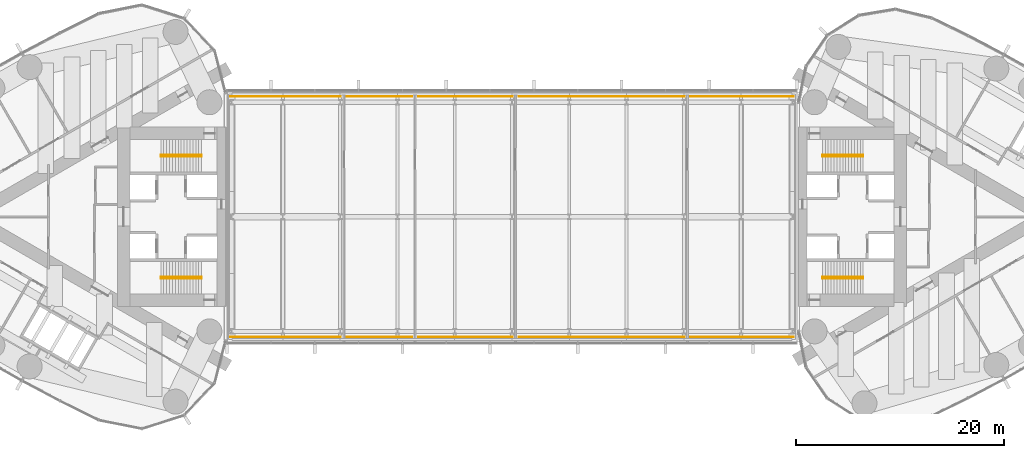
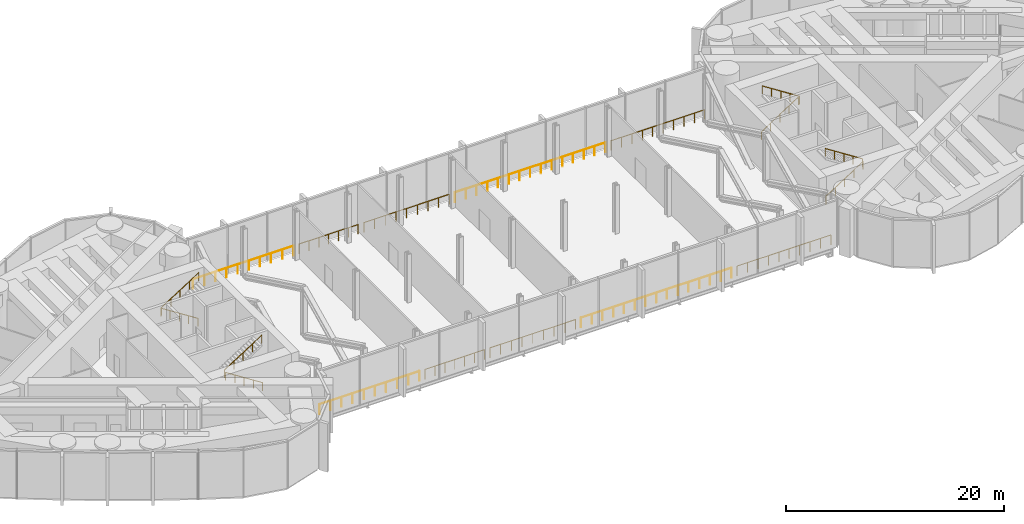
# One storey, part 21 of 21: 18 railings.
"""IFC4 building model written with IfcOpenShell, lengths in metres."""

import ifcopenshell
import ifcopenshell.guid

model = None  # the IFC model being written
_history = None  # IfcOwnerHistory: only IFC2X3 demands one
_inside = {}  # id of a spatial element -> (the spatial element, [elements in it])
_under = {}  # id of a project, library or spatial element -> (it, [spatial elements below it])
_declared = {}  # id of a project -> (the project, [libraries it declares])
_typed = {}  # id of a type object -> (the type object, [elements of that type])
_made_of = {}  # id of a material, layer set ... -> (it, [elements and type objects made of it])


def new_model(schema):
    """Start an empty IFC model of exactly this schema.

    Asked for "IFC4X3", IfcOpenShell would pick the latest addendum, in which some entities
    have other attributes; the version numbers below select the first issue.
    IFC2X3 requires an IfcOwnerHistory on every rooted entity: one is made here for all.
    """
    global model, _history
    if schema == "IFC4X3":
        model = ifcopenshell.file(schema_version=(4, 3, 0, 0))
    else:
        model = ifcopenshell.file(schema=schema)
    _inside.clear()
    _under.clear()
    _declared.clear()
    _typed.clear()
    _made_of.clear()
    _history = None
    if model.schema == "IFC2X3":
        org = make("IfcOrganization", Name="unknown")
        user = make(
            "IfcPersonAndOrganization",
            ThePerson=make("IfcPerson", FamilyName="unknown"),
            TheOrganization=org,
        )
        app = make(
            "IfcApplication",
            ApplicationDeveloper=org,
            Version="unknown",
            ApplicationFullName="unknown",
            ApplicationIdentifier="unknown",
        )
        _history = make(
            "IfcOwnerHistory",
            OwningUser=user,
            OwningApplication=app,
            ChangeAction="ADDED",
            CreationDate=0,
        )
    return model


def make(cls, **values):
    """One entity of the class cls with the attributes given. An attribute that is None is left unset."""
    return model.create_entity(
        cls, **{name: value for name, value in values.items() if value is not None}
    )


def rooted(cls, **values):
    """An entity with a GlobalId (a new one), such as an element, a storey or a relation."""
    return make(cls, GlobalId=ifcopenshell.guid.new(), OwnerHistory=_history, **values)


def si_unit(unit_type, name, prefix=None):
    """IfcSIUnit, for example si_unit("LENGTHUNIT", "METRE", prefix="MILLI")."""
    return make("IfcSIUnit", UnitType=unit_type, Prefix=prefix, Name=name)


def assignment(units):
    """IfcUnitAssignment: the units of a project."""
    return None if units is None else make("IfcUnitAssignment", Units=units)


def point(xyz):
    """IfcCartesianPoint."""
    return None if xyz is None else make("IfcCartesianPoint", Coordinates=xyz)


def direction(xyz):
    """IfcDirection."""
    return None if xyz is None else make("IfcDirection", DirectionRatios=xyz)


def frame(location, z_axis=None, x_axis=None):
    """IfcAxis2Placement3D, a coordinate frame: its origin and axes. An axis left out is left unset."""
    return make(
        "IfcAxis2Placement3D",
        Location=point(location),
        Axis=direction(z_axis),
        RefDirection=direction(x_axis),
    )


def frame_2d(location, x_axis=None):
    """IfcAxis2Placement2D, a coordinate frame in the plane: its origin and x axis."""
    return make(
        "IfcAxis2Placement2D", Location=point(location), RefDirection=direction(x_axis)
    )


def origin():
    """The frame at (0, 0, 0) with its axes left unset."""
    return frame((0.0, 0.0, 0.0))


def origin_2d():
    """The frame at (0, 0) in the plane with its x axis left unset."""
    return frame_2d((0.0, 0.0))


def place(relative_to, where):
    """IfcLocalPlacement: puts the frame where relative to a parent placement (None: the world)."""
    return make(
        "IfcLocalPlacement", PlacementRelTo=relative_to, RelativePlacement=where
    )


def context(
    kind, dimensions, precision=None, world=None, true_north=None, identifier=None
):
    """IfcGeometricRepresentationContext, for example the 3D "Model" context."""
    return make(
        "IfcGeometricRepresentationContext",
        ContextIdentifier=identifier,
        ContextType=kind,
        CoordinateSpaceDimension=dimensions,
        Precision=precision,
        WorldCoordinateSystem=world,
        TrueNorth=true_north,
    )


def subcontext(parent, identifier, kind, view, scale=None):
    """IfcGeometricRepresentationSubContext, for example "Body" below "Model"."""
    return make(
        "IfcGeometricRepresentationSubContext",
        ContextIdentifier=identifier,
        ContextType=kind,
        ParentContext=parent,
        TargetScale=scale,
        TargetView=view,
    )


def project(units=None, contexts=None):
    """IfcProject with its units and contexts."""
    return rooted(
        "IfcProject",
        Name="project",
        RepresentationContexts=contexts,
        UnitsInContext=assignment(units),
    )


def spatial(cls, under=None, at=None, **own):
    """A site, building, storey or space (cls), placed at a placement, below another one or the project."""
    s = rooted(cls, ObjectPlacement=at, **own)
    if under is not None:
        _under.setdefault(under.id(), (under, []))[1].append(s)
    return s


def profile(cls, at=None, kind="AREA", **sizes):
    """A parametric profile (cls). Its sizes go by their IFC names, for example OverallWidth=200.0."""
    return make(cls, ProfileType=kind, Position=at, **sizes)


def circle(**sizes):
    """IfcCircleProfileDef."""
    return profile("IfcCircleProfileDef", **sizes)


def extrude(swept, where, along, depth):
    """IfcExtrudedAreaSolid: the profile swept, set in the frame where, extruded along a direction by depth."""
    return make(
        "IfcExtrudedAreaSolid",
        SweptArea=swept,
        Position=where,
        ExtrudedDirection=direction(along),
        Depth=depth,
    )


def shape(context_of_items, identifier, shape_type, items):
    """IfcShapeRepresentation: the items that make up one representation, for example the "Body"."""
    return make(
        "IfcShapeRepresentation",
        ContextOfItems=context_of_items,
        RepresentationIdentifier=identifier,
        RepresentationType=shape_type,
        Items=items,
    )


def material(Name=None, Category=None):
    """IfcMaterial."""
    return make("IfcMaterial", Name=Name, Category=Category)


def made_of(thing, what):
    """Note that an element or type object is made of a material, layer set ...; save() writes the relation."""
    if what is not None:
        _made_of.setdefault(what.id(), (what, []))[1].append(thing)
    return thing


def type_object(cls, material=None, **own):
    """A type object (cls), such as IfcWallType, which elements share."""
    return made_of(rooted(cls, **own), material)


def element(
    cls,
    number,
    at=None,
    inside=None,
    cuts=None,
    type_object=None,
    material=None,
    context=None,
    identifier="Body",
    shape_type=None,
    held_by="IfcProductDefinitionShape",
    body=None,
    shapes=None,
    **own,
):
    """One element of the class cls, such as IfcWall. Its Tag is "e" and its number.

    at: its placement. inside: the storey or other place that contains it. cuts: it is an
    opening in that element (IfcRelVoidsElement). A single representation is given by context,
    identifier, shape_type and body (its items); several are given by shapes. held_by: the class
    of the entity that holds the representations. save() writes the other relations.
    """
    e = rooted(cls, Tag="e%d" % number, ObjectPlacement=at, **own)
    if body is not None:
        shapes = [shape(context, identifier, shape_type, body)]
    if shapes is not None:
        e.Representation = make(held_by, Representations=shapes)
    if inside is not None:
        _inside.setdefault(inside.id(), (inside, []))[1].append(e)
    if cuts is not None:
        rooted(
            "IfcRelVoidsElement", RelatingBuildingElement=cuts, RelatedOpeningElement=e
        )
    if type_object is not None:
        _typed.setdefault(type_object.id(), (type_object, []))[1].append(e)
    return made_of(e, material)


def aggregate(whole, parts):
    """IfcRelAggregates: a whole, such as a stair, and the parts it consists of."""
    return rooted("IfcRelAggregates", RelatingObject=whole, RelatedObjects=parts)


def save(model, path):
    """Write the relations noted so far, then the file.

    IfcRelAggregates (storeys below a building ...), IfcRelContainedInSpatialStructure (elements
    in a storey), IfcRelDefinesByType, IfcRelAssociatesMaterial and IfcRelDeclares: one each for
    every whole, place, type object, material and project.
    """
    for whole, parts in _under.values():
        aggregate(whole, parts)
    for where, things in _inside.values():
        rooted(
            "IfcRelContainedInSpatialStructure",
            RelatedElements=things,
            RelatingStructure=where,
        )
    for kind, things in _typed.values():
        rooted("IfcRelDefinesByType", RelatedObjects=things, RelatingType=kind)
    for what, things in _made_of.values():
        rooted("IfcRelAssociatesMaterial", RelatedObjects=things, RelatingMaterial=what)
    for by, libraries in _declared.values():
        rooted("IfcRelDeclares", RelatingContext=by, RelatedDefinitions=libraries)
    model.write(path)


model = new_model("IFC4")

# Units and contexts
model_context = context("Model", 3, precision=1e-05, world=origin(), true_north=direction((0.0, 1.0)))
body_context = subcontext(model_context, "Body", "Model", "MODEL_VIEW")
ifc_project = project(units=[si_unit("LENGTHUNIT", "METRE"), si_unit("AREAUNIT", "SQUARE_METRE"), si_unit("VOLUMEUNIT", "CUBIC_METRE"), si_unit("PLANEANGLEUNIT", "RADIAN"), si_unit("MASSUNIT", "GRAM", prefix="KILO")], contexts=[model_context])

# Site, building, storey
site_placement = place(None, origin())
site = spatial("IfcSite", under=ifc_project, at=site_placement, CompositionType="ELEMENT")
building_placement = place(site_placement, origin())
building = spatial("IfcBuilding", under=site, at=building_placement, Name="Lancet Gate Hotel", CompositionType="ELEMENT")
storey_placement = place(building_placement, frame((0.0, 0.0, 251.89990234375)))
storey = spatial("IfcBuildingStorey", under=building, at=storey_placement, Name="L67", CompositionType="ELEMENT", Elevation=251.89990234375)

# Railings
ifc_material_1 = material(Name="Laminated glass balustrade", Category="glass")
railing_type_1 = type_object("IfcRailingType", Name="Glass balustrade 1100", PredefinedType="GUARDRAIL", material=ifc_material_1)
railing_1_placement = place(storey_placement, frame((-27.050048828125, -11.550048828125, 0.0)))
element("IfcRailing", 1, at=railing_1_placement, inside=storey, type_object=railing_type_1, Name="Bridge block balustrade S1 L67", PredefinedType="GUARDRAIL", context=body_context, shape_type="SweptSolid", body=[
    extrude(circle(Radius=0.02392578125, at=origin_2d()), frame((0.0, 0.0, 1.076171875), z_axis=(1.0, 0.0, 0.0), x_axis=(0.0, 1.0, 0.0)), (0.0, 0.0, 1.0), 10.60009765625),
    extrude(circle(Radius=0.02099609375, at=origin_2d()), origin(), (0.0, 0.0, 1.0), 1.052001953125),
    extrude(circle(Radius=0.02099609375, at=origin_2d()), frame((1.177734375, 0.0, 0.0)), (0.0, 0.0, 1.0), 1.052001953125),
    extrude(circle(Radius=0.02099609375, at=origin_2d()), frame((2.35546875, 0.0, 0.0)), (0.0, 0.0, 1.0), 1.052001953125),
    extrude(circle(Radius=0.02099609375, at=origin_2d()), frame((3.533447265625, 0.0, 0.0)), (0.0, 0.0, 1.0), 1.052001953125),
    extrude(circle(Radius=0.02099609375, at=origin_2d()), frame((4.711181640625, 0.0, 0.0)), (0.0, 0.0, 1.0), 1.052001953125),
    extrude(circle(Radius=0.02099609375, at=origin_2d()), frame((5.888916015625, 0.0, 0.0)), (0.0, 0.0, 1.0), 1.052001953125),
    extrude(circle(Radius=0.02099609375, at=origin_2d()), frame((7.066650390625, 0.0, 0.0)), (0.0, 0.0, 1.0), 1.052001953125),
    extrude(circle(Radius=0.02099609375, at=origin_2d()), frame((8.24462890625, 0.0, 0.0)), (0.0, 0.0, 1.0), 1.052001953125),
    extrude(circle(Radius=0.02099609375, at=origin_2d()), frame((9.42236328125, 0.0, 0.0)), (0.0, 0.0, 1.0), 1.052001953125),
    extrude(circle(Radius=0.02099609375, at=origin_2d()), frame((10.60009765625, 0.0, 0.0)), (0.0, 0.0, 1.0), 1.052001953125),
])
railing_2_placement = place(storey_placement, frame((-15.85009765625, -11.550048828125, 0.0)))
element("IfcRailing", 2, at=railing_2_placement, inside=storey, type_object=railing_type_1, Name="Bridge block balustrade S2 L67", PredefinedType="GUARDRAIL", context=body_context, shape_type="SweptSolid", body=[
    extrude(circle(Radius=0.02392578125, at=origin_2d()), frame((0.0, 0.0, 1.076171875), z_axis=(1.0, 0.0, 0.0), x_axis=(0.0, 1.0, 0.0)), (0.0, 0.0, 1.0), 6.25),
    extrude(circle(Radius=0.02099609375, at=origin_2d()), origin(), (0.0, 0.0, 1.0), 1.052001953125),
    extrude(circle(Radius=0.02099609375, at=origin_2d()), frame((1.041748046875, 0.0, 0.0)), (0.0, 0.0, 1.0), 1.052001953125),
    extrude(circle(Radius=0.02099609375, at=origin_2d()), frame((2.083251953125, 0.0, 0.0)), (0.0, 0.0, 1.0), 1.052001953125),
    extrude(circle(Radius=0.02099609375, at=origin_2d()), frame((3.125, 0.0, 0.0)), (0.0, 0.0, 1.0), 1.052001953125),
    extrude(circle(Radius=0.02099609375, at=origin_2d()), frame((4.166748046875, 0.0, 0.0)), (0.0, 0.0, 1.0), 1.052001953125),
    extrude(circle(Radius=0.02099609375, at=origin_2d()), frame((5.208251953125, 0.0, 0.0)), (0.0, 0.0, 1.0), 1.052001953125),
    extrude(circle(Radius=0.02099609375, at=origin_2d()), frame((6.25, 0.0, 0.0)), (0.0, 0.0, 1.0), 1.052001953125),
])
railing_3_placement = place(storey_placement, frame((-9.0, -11.550048828125, 0.0)))
element("IfcRailing", 3, at=railing_3_placement, inside=storey, type_object=railing_type_1, Name="Bridge block balustrade S3 L67", PredefinedType="GUARDRAIL", context=body_context, shape_type="SweptSolid", body=[
    extrude(circle(Radius=0.02392578125, at=origin_2d()), frame((0.0, 0.0, 1.076171875), z_axis=(1.0, 0.0, 0.0), x_axis=(0.0, 1.0, 0.0)), (0.0, 0.0, 1.0), 9.050048828125),
    extrude(circle(Radius=0.02099609375, at=origin_2d()), origin(), (0.0, 0.0, 1.0), 1.052001953125),
    extrude(circle(Radius=0.02099609375, at=origin_2d()), frame((1.13134765625, 0.0, 0.0)), (0.0, 0.0, 1.0), 1.052001953125),
    extrude(circle(Radius=0.02099609375, at=origin_2d()), frame((2.262451171875, 0.0, 0.0)), (0.0, 0.0, 1.0), 1.052001953125),
    extrude(circle(Radius=0.02099609375, at=origin_2d()), frame((3.393798828125, 0.0, 0.0)), (0.0, 0.0, 1.0), 1.052001953125),
    extrude(circle(Radius=0.02099609375, at=origin_2d()), frame((4.52490234375, 0.0, 0.0)), (0.0, 0.0, 1.0), 1.052001953125),
    extrude(circle(Radius=0.02099609375, at=origin_2d()), frame((5.65625, 0.0, 0.0)), (0.0, 0.0, 1.0), 1.052001953125),
    extrude(circle(Radius=0.02099609375, at=origin_2d()), frame((6.78759765625, 0.0, 0.0)), (0.0, 0.0, 1.0), 1.052001953125),
    extrude(circle(Radius=0.02099609375, at=origin_2d()), frame((7.918701171875, 0.0, 0.0)), (0.0, 0.0, 1.0), 1.052001953125),
    extrude(circle(Radius=0.02099609375, at=origin_2d()), frame((9.050048828125, 0.0, 0.0)), (0.0, 0.0, 1.0), 1.052001953125),
])
railing_4_placement = place(storey_placement, frame((0.64990234375, -11.550048828125, 0.0)))
element("IfcRailing", 4, at=railing_4_placement, inside=storey, type_object=railing_type_1, Name="Bridge block balustrade S4 L67", PredefinedType="GUARDRAIL", context=body_context, shape_type="SweptSolid", body=[
    extrude(circle(Radius=0.02392578125, at=origin_2d()), frame((0.0, 0.0, 1.076171875), z_axis=(1.0, 0.0, 0.0), x_axis=(0.0, 1.0, 0.0)), (0.0, 0.0, 1.0), 15.900146484375),
    extrude(circle(Radius=0.02099609375, at=origin_2d()), origin(), (0.0, 0.0, 1.0), 1.052001953125),
    extrude(circle(Radius=0.02099609375, at=origin_2d()), frame((1.1357421875, 0.0, 0.0)), (0.0, 0.0, 1.0), 1.052001953125),
    extrude(circle(Radius=0.02099609375, at=origin_2d()), frame((2.271484375, 0.0, 0.0)), (0.0, 0.0, 1.0), 1.052001953125),
    extrude(circle(Radius=0.02099609375, at=origin_2d()), frame((3.4072265625, 0.0, 0.0)), (0.0, 0.0, 1.0), 1.052001953125),
    extrude(circle(Radius=0.02099609375, at=origin_2d()), frame((4.54296875, 0.0, 0.0)), (0.0, 0.0, 1.0), 1.052001953125),
    extrude(circle(Radius=0.02099609375, at=origin_2d()), frame((5.6787109375, 0.0, 0.0)), (0.0, 0.0, 1.0), 1.052001953125),
    extrude(circle(Radius=0.02099609375, at=origin_2d()), frame((6.814453125, 0.0, 0.0)), (0.0, 0.0, 1.0), 1.052001953125),
    extrude(circle(Radius=0.02099609375, at=origin_2d()), frame((7.9501953125, 0.0, 0.0)), (0.0, 0.0, 1.0), 1.052001953125),
    extrude(circle(Radius=0.02099609375, at=origin_2d()), frame((9.085693359375, 0.0, 0.0)), (0.0, 0.0, 1.0), 1.052001953125),
    extrude(circle(Radius=0.02099609375, at=origin_2d()), frame((10.221435546875, 0.0, 0.0)), (0.0, 0.0, 1.0), 1.052001953125),
    extrude(circle(Radius=0.02099609375, at=origin_2d()), frame((11.357177734375, 0.0, 0.0)), (0.0, 0.0, 1.0), 1.052001953125),
    extrude(circle(Radius=0.02099609375, at=origin_2d()), frame((12.492919921875, 0.0, 0.0)), (0.0, 0.0, 1.0), 1.052001953125),
    extrude(circle(Radius=0.02099609375, at=origin_2d()), frame((13.628662109375, 0.0, 0.0)), (0.0, 0.0, 1.0), 1.052001953125),
    extrude(circle(Radius=0.02099609375, at=origin_2d()), frame((14.764404296875, 0.0, 0.0)), (0.0, 0.0, 1.0), 1.052001953125),
    extrude(circle(Radius=0.02099609375, at=origin_2d()), frame((15.900146484375, 0.0, 0.0)), (0.0, 0.0, 1.0), 1.052001953125),
])
railing_5_placement = place(storey_placement, frame((17.14990234375, -11.550048828125, 0.0)))
element("IfcRailing", 5, at=railing_5_placement, inside=storey, type_object=railing_type_1, Name="Bridge block balustrade S5 L67", PredefinedType="GUARDRAIL", context=body_context, shape_type="SweptSolid", body=[
    extrude(circle(Radius=0.02392578125, at=origin_2d()), frame((0.0, 0.0, 1.076171875), z_axis=(1.0, 0.0, 0.0), x_axis=(0.0, 1.0, 0.0)), (0.0, 0.0, 1.0), 9.900146484375),
    extrude(circle(Radius=0.02099609375, at=origin_2d()), origin(), (0.0, 0.0, 1.0), 1.052001953125),
    extrude(circle(Radius=0.02099609375, at=origin_2d()), frame((1.10009765625, 0.0, 0.0)), (0.0, 0.0, 1.0), 1.052001953125),
    extrude(circle(Radius=0.02099609375, at=origin_2d()), frame((2.199951171875, 0.0, 0.0)), (0.0, 0.0, 1.0), 1.052001953125),
    extrude(circle(Radius=0.02099609375, at=origin_2d()), frame((3.300048828125, 0.0, 0.0)), (0.0, 0.0, 1.0), 1.052001953125),
    extrude(circle(Radius=0.02099609375, at=origin_2d()), frame((4.400146484375, 0.0, 0.0)), (0.0, 0.0, 1.0), 1.052001953125),
    extrude(circle(Radius=0.02099609375, at=origin_2d()), frame((5.5, 0.0, 0.0)), (0.0, 0.0, 1.0), 1.052001953125),
    extrude(circle(Radius=0.02099609375, at=origin_2d()), frame((6.60009765625, 0.0, 0.0)), (0.0, 0.0, 1.0), 1.052001953125),
    extrude(circle(Radius=0.02099609375, at=origin_2d()), frame((7.7001953125, 0.0, 0.0)), (0.0, 0.0, 1.0), 1.052001953125),
    extrude(circle(Radius=0.02099609375, at=origin_2d()), frame((8.800048828125, 0.0, 0.0)), (0.0, 0.0, 1.0), 1.052001953125),
    extrude(circle(Radius=0.02099609375, at=origin_2d()), frame((9.900146484375, 0.0, 0.0)), (0.0, 0.0, 1.0), 1.052001953125),
])
railing_6_placement = place(storey_placement, frame((-16.449951171875, 11.550048828125, 0.0)))
element("IfcRailing", 6, at=railing_6_placement, inside=storey, type_object=railing_type_1, Name="Bridge block balustrade N1 L67", PredefinedType="GUARDRAIL", context=body_context, shape_type="SweptSolid", body=[
    extrude(circle(Radius=0.02392578125, at=origin_2d()), frame((0.0, 0.0, 1.076171875), z_axis=(-1.0, 0.0, 0.0), x_axis=(0.0, -1.0, 0.0)), (0.0, 0.0, 1.0), 10.60009765625),
    extrude(circle(Radius=0.02099609375, at=origin_2d()), origin(), (0.0, 0.0, 1.0), 1.052001953125),
    extrude(circle(Radius=0.02099609375, at=origin_2d()), frame((-1.177734375, 0.0, 0.0)), (0.0, 0.0, 1.0), 1.052001953125),
    extrude(circle(Radius=0.02099609375, at=origin_2d()), frame((-2.35546875, 0.0, 0.0)), (0.0, 0.0, 1.0), 1.052001953125),
    extrude(circle(Radius=0.02099609375, at=origin_2d()), frame((-3.533447265625, 0.0, 0.0)), (0.0, 0.0, 1.0), 1.052001953125),
    extrude(circle(Radius=0.02099609375, at=origin_2d()), frame((-4.711181640625, 0.0, 0.0)), (0.0, 0.0, 1.0), 1.052001953125),
    extrude(circle(Radius=0.02099609375, at=origin_2d()), frame((-5.888916015625, 0.0, 0.0)), (0.0, 0.0, 1.0), 1.052001953125),
    extrude(circle(Radius=0.02099609375, at=origin_2d()), frame((-7.066650390625, 0.0, 0.0)), (0.0, 0.0, 1.0), 1.052001953125),
    extrude(circle(Radius=0.02099609375, at=origin_2d()), frame((-8.24462890625, 0.0, 0.0)), (0.0, 0.0, 1.0), 1.052001953125),
    extrude(circle(Radius=0.02099609375, at=origin_2d()), frame((-9.42236328125, 0.0, 0.0)), (0.0, 0.0, 1.0), 1.052001953125),
    extrude(circle(Radius=0.02099609375, at=origin_2d()), frame((-10.60009765625, 0.0, 0.0)), (0.0, 0.0, 1.0), 1.052001953125),
])
railing_7_placement = place(storey_placement, frame((-9.60009765625, 11.550048828125, 0.0)))
element("IfcRailing", 7, at=railing_7_placement, inside=storey, type_object=railing_type_1, Name="Bridge block balustrade N2 L67", PredefinedType="GUARDRAIL", context=body_context, shape_type="SweptSolid", body=[
    extrude(circle(Radius=0.02392578125, at=origin_2d()), frame((0.0, 0.0, 1.076171875), z_axis=(-1.0, 0.0, 0.0), x_axis=(0.0, -1.0, 0.0)), (0.0, 0.0, 1.0), 6.25),
    extrude(circle(Radius=0.02099609375, at=origin_2d()), origin(), (0.0, 0.0, 1.0), 1.052001953125),
    extrude(circle(Radius=0.02099609375, at=origin_2d()), frame((-1.041748046875, 0.0, 0.0)), (0.0, 0.0, 1.0), 1.052001953125),
    extrude(circle(Radius=0.02099609375, at=origin_2d()), frame((-2.083251953125, 0.0, 0.0)), (0.0, 0.0, 1.0), 1.052001953125),
    extrude(circle(Radius=0.02099609375, at=origin_2d()), frame((-3.125, 0.0, 0.0)), (0.0, 0.0, 1.0), 1.052001953125),
    extrude(circle(Radius=0.02099609375, at=origin_2d()), frame((-4.166748046875, 0.0, 0.0)), (0.0, 0.0, 1.0), 1.052001953125),
    extrude(circle(Radius=0.02099609375, at=origin_2d()), frame((-5.208251953125, 0.0, 0.0)), (0.0, 0.0, 1.0), 1.052001953125),
    extrude(circle(Radius=0.02099609375, at=origin_2d()), frame((-6.25, 0.0, 0.0)), (0.0, 0.0, 1.0), 1.052001953125),
])
railing_8_placement = place(storey_placement, frame((0.050048828125, 11.550048828125, 0.0)))
element("IfcRailing", 8, at=railing_8_placement, inside=storey, type_object=railing_type_1, Name="Bridge block balustrade N3 L67", PredefinedType="GUARDRAIL", context=body_context, shape_type="SweptSolid", body=[
    extrude(circle(Radius=0.02392578125, at=origin_2d()), frame((0.0, 0.0, 1.076171875), z_axis=(-1.0, 0.0, 0.0), x_axis=(0.0, -1.0, 0.0)), (0.0, 0.0, 1.0), 9.050048828125),
    extrude(circle(Radius=0.02099609375, at=origin_2d()), origin(), (0.0, 0.0, 1.0), 1.052001953125),
    extrude(circle(Radius=0.02099609375, at=origin_2d()), frame((-1.13134765625, 0.0, 0.0)), (0.0, 0.0, 1.0), 1.052001953125),
    extrude(circle(Radius=0.02099609375, at=origin_2d()), frame((-2.262451171875, 0.0, 0.0)), (0.0, 0.0, 1.0), 1.052001953125),
    extrude(circle(Radius=0.02099609375, at=origin_2d()), frame((-3.393798828125, 0.0, 0.0)), (0.0, 0.0, 1.0), 1.052001953125),
    extrude(circle(Radius=0.02099609375, at=origin_2d()), frame((-4.52490234375, 0.0, 0.0)), (0.0, 0.0, 1.0), 1.052001953125),
    extrude(circle(Radius=0.02099609375, at=origin_2d()), frame((-5.65625, 0.0, 0.0)), (0.0, 0.0, 1.0), 1.052001953125),
    extrude(circle(Radius=0.02099609375, at=origin_2d()), frame((-6.78759765625, 0.0, 0.0)), (0.0, 0.0, 1.0), 1.052001953125),
    extrude(circle(Radius=0.02099609375, at=origin_2d()), frame((-7.918701171875, 0.0, 0.0)), (0.0, 0.0, 1.0), 1.052001953125),
    extrude(circle(Radius=0.02099609375, at=origin_2d()), frame((-9.050048828125, 0.0, 0.0)), (0.0, 0.0, 1.0), 1.052001953125),
])
railing_9_placement = place(storey_placement, frame((16.550048828125, 11.550048828125, 0.0)))
element("IfcRailing", 9, at=railing_9_placement, inside=storey, type_object=railing_type_1, Name="Bridge block balustrade N4 L67", PredefinedType="GUARDRAIL", context=body_context, shape_type="SweptSolid", body=[
    extrude(circle(Radius=0.02392578125, at=origin_2d()), frame((0.0, 0.0, 1.076171875), z_axis=(-1.0, 0.0, 0.0), x_axis=(0.0, -1.0, 0.0)), (0.0, 0.0, 1.0), 15.900146484375),
    extrude(circle(Radius=0.02099609375, at=origin_2d()), origin(), (0.0, 0.0, 1.0), 1.052001953125),
    extrude(circle(Radius=0.02099609375, at=origin_2d()), frame((-1.1357421875, 0.0, 0.0)), (0.0, 0.0, 1.0), 1.052001953125),
    extrude(circle(Radius=0.02099609375, at=origin_2d()), frame((-2.271484375, 0.0, 0.0)), (0.0, 0.0, 1.0), 1.052001953125),
    extrude(circle(Radius=0.02099609375, at=origin_2d()), frame((-3.4072265625, 0.0, 0.0)), (0.0, 0.0, 1.0), 1.052001953125),
    extrude(circle(Radius=0.02099609375, at=origin_2d()), frame((-4.54296875, 0.0, 0.0)), (0.0, 0.0, 1.0), 1.052001953125),
    extrude(circle(Radius=0.02099609375, at=origin_2d()), frame((-5.6787109375, 0.0, 0.0)), (0.0, 0.0, 1.0), 1.052001953125),
    extrude(circle(Radius=0.02099609375, at=origin_2d()), frame((-6.814453125, 0.0, 0.0)), (0.0, 0.0, 1.0), 1.052001953125),
    extrude(circle(Radius=0.02099609375, at=origin_2d()), frame((-7.9501953125, 0.0, 0.0)), (0.0, 0.0, 1.0), 1.052001953125),
    extrude(circle(Radius=0.02099609375, at=origin_2d()), frame((-9.085693359375, 0.0, 0.0)), (0.0, 0.0, 1.0), 1.052001953125),
    extrude(circle(Radius=0.02099609375, at=origin_2d()), frame((-10.221435546875, 0.0, 0.0)), (0.0, 0.0, 1.0), 1.052001953125),
    extrude(circle(Radius=0.02099609375, at=origin_2d()), frame((-11.357177734375, 0.0, 0.0)), (0.0, 0.0, 1.0), 1.052001953125),
    extrude(circle(Radius=0.02099609375, at=origin_2d()), frame((-12.492919921875, 0.0, 0.0)), (0.0, 0.0, 1.0), 1.052001953125),
    extrude(circle(Radius=0.02099609375, at=origin_2d()), frame((-13.628662109375, 0.0, 0.0)), (0.0, 0.0, 1.0), 1.052001953125),
    extrude(circle(Radius=0.02099609375, at=origin_2d()), frame((-14.764404296875, 0.0, 0.0)), (0.0, 0.0, 1.0), 1.052001953125),
    extrude(circle(Radius=0.02099609375, at=origin_2d()), frame((-15.900146484375, 0.0, 0.0)), (0.0, 0.0, 1.0), 1.052001953125),
])
railing_10_placement = place(storey_placement, frame((27.050048828125, 11.550048828125, 0.0)))
element("IfcRailing", 10, at=railing_10_placement, inside=storey, type_object=railing_type_1, Name="Bridge block balustrade N5 L67", PredefinedType="GUARDRAIL", context=body_context, shape_type="SweptSolid", body=[
    extrude(circle(Radius=0.02392578125, at=origin_2d()), frame((0.0, 0.0, 1.076171875), z_axis=(-1.0, 0.0, 0.0), x_axis=(0.0, -1.0, 0.0)), (0.0, 0.0, 1.0), 9.900146484375),
    extrude(circle(Radius=0.02099609375, at=origin_2d()), origin(), (0.0, 0.0, 1.0), 1.052001953125),
    extrude(circle(Radius=0.02099609375, at=origin_2d()), frame((-1.10009765625, 0.0, 0.0)), (0.0, 0.0, 1.0), 1.052001953125),
    extrude(circle(Radius=0.02099609375, at=origin_2d()), frame((-2.199951171875, 0.0, 0.0)), (0.0, 0.0, 1.0), 1.052001953125),
    extrude(circle(Radius=0.02099609375, at=origin_2d()), frame((-3.300048828125, 0.0, 0.0)), (0.0, 0.0, 1.0), 1.052001953125),
    extrude(circle(Radius=0.02099609375, at=origin_2d()), frame((-4.400146484375, 0.0, 0.0)), (0.0, 0.0, 1.0), 1.052001953125),
    extrude(circle(Radius=0.02099609375, at=origin_2d()), frame((-5.5, 0.0, 0.0)), (0.0, 0.0, 1.0), 1.052001953125),
    extrude(circle(Radius=0.02099609375, at=origin_2d()), frame((-6.60009765625, 0.0, 0.0)), (0.0, 0.0, 1.0), 1.052001953125),
    extrude(circle(Radius=0.02099609375, at=origin_2d()), frame((-7.7001953125, 0.0, 0.0)), (0.0, 0.0, 1.0), 1.052001953125),
    extrude(circle(Radius=0.02099609375, at=origin_2d()), frame((-8.800048828125, 0.0, 0.0)), (0.0, 0.0, 1.0), 1.052001953125),
    extrude(circle(Radius=0.02099609375, at=origin_2d()), frame((-9.900146484375, 0.0, 0.0)), (0.0, 0.0, 1.0), 1.052001953125),
])
ifc_material_2 = material(Name="Stainless steel handrail", Category="steel")
railing_type_2 = type_object("IfcRailingType", Name="Stair handrail 900", PredefinedType="HANDRAIL", material=ifc_material_2)
railing_11_placement = place(storey_placement, frame((-29.800048828125, 5.929931640625, 0.18017578125)))
element("IfcRailing", 11, at=railing_11_placement, inside=storey, type_object=railing_type_2, Name="ST1 handrail flight 1 L67", PredefinedType="HANDRAIL", context=body_context, shape_type="SweptSolid", body=[
    extrude(circle(Radius=0.02392578125, at=origin_2d()), frame((0.0, 0.0, 0.8759765625), z_axis=(-0.841171666519, 0.0, 0.540768182723), x_axis=(0.0, -1.0, 0.0)), (0.0, 0.0, 1.0), 4.66015625),
    extrude(circle(Radius=0.02099609375, at=origin_2d()), origin(), (0.0, 0.0, 1.0), 0.851806640625),
    extrude(circle(Radius=0.02099609375, at=origin_2d()), frame((-0.97998046875, 0.0, 0.6298828125)), (0.0, 0.0, 1.0), 0.851806640625),
    extrude(circle(Radius=0.02099609375, at=origin_2d()), frame((-1.9599609375, 0.0, 1.260009765625)), (0.0, 0.0, 1.0), 0.851806640625),
    extrude(circle(Radius=0.02099609375, at=origin_2d()), frame((-2.93994140625, 0.0, 1.89013671875)), (0.0, 0.0, 1.0), 0.851806640625),
    extrude(circle(Radius=0.02099609375, at=origin_2d()), frame((-3.919921875, 0.0, 2.52001953125)), (0.0, 0.0, 1.0), 0.851806640625),
])
railing_12_placement = place(storey_placement, frame((-33.719970703125, 5.77001953125, 2.880126953125)))
element("IfcRailing", 12, at=railing_12_placement, inside=storey, type_object=railing_type_2, Name="ST1 handrail flight 2 L67", PredefinedType="HANDRAIL", context=body_context, shape_type="SweptSolid", body=[
    extrude(circle(Radius=0.02392578125, at=origin_2d()), frame((0.0, 0.0, 0.8759765625), z_axis=(0.841171666519, 0.0, 0.540768182723), x_axis=(0.0, 1.0, 0.0)), (0.0, 0.0, 1.0), 4.66015625),
    extrude(circle(Radius=0.02099609375, at=origin_2d()), origin(), (0.0, 0.0, 1.0), 0.851806640625),
    extrude(circle(Radius=0.02099609375, at=origin_2d()), frame((0.97998046875, 0.0, 0.6298828125)), (0.0, 0.0, 1.0), 0.851806640625),
    extrude(circle(Radius=0.02099609375, at=origin_2d()), frame((1.9599609375, 0.0, 1.260009765625)), (0.0, 0.0, 1.0), 0.851806640625),
    extrude(circle(Radius=0.02099609375, at=origin_2d()), frame((2.93994140625, 0.0, 1.89013671875)), (0.0, 0.0, 1.0), 0.851806640625),
    extrude(circle(Radius=0.02099609375, at=origin_2d()), frame((3.919921875, 0.0, 2.52001953125)), (0.0, 0.0, 1.0), 0.851806640625),
])
railing_13_placement = place(storey_placement, frame((-29.800048828125, -5.929931640625, 0.18017578125)))
element("IfcRailing", 13, at=railing_13_placement, inside=storey, type_object=railing_type_2, Name="ST2 handrail flight 1 L67", PredefinedType="HANDRAIL", context=body_context, shape_type="SweptSolid", body=[
    extrude(circle(Radius=0.02392578125, at=origin_2d()), frame((0.0, 0.0, 0.8759765625), z_axis=(-0.841171666519, 0.0, 0.540768182723), x_axis=(0.0, -1.0, 0.0)), (0.0, 0.0, 1.0), 4.66015625),
    extrude(circle(Radius=0.02099609375, at=origin_2d()), origin(), (0.0, 0.0, 1.0), 0.851806640625),
    extrude(circle(Radius=0.02099609375, at=origin_2d()), frame((-0.97998046875, 0.0, 0.6298828125)), (0.0, 0.0, 1.0), 0.851806640625),
    extrude(circle(Radius=0.02099609375, at=origin_2d()), frame((-1.9599609375, 0.0, 1.260009765625)), (0.0, 0.0, 1.0), 0.851806640625),
    extrude(circle(Radius=0.02099609375, at=origin_2d()), frame((-2.93994140625, 0.0, 1.89013671875)), (0.0, 0.0, 1.0), 0.851806640625),
    extrude(circle(Radius=0.02099609375, at=origin_2d()), frame((-3.919921875, 0.0, 2.52001953125)), (0.0, 0.0, 1.0), 0.851806640625),
])
for number, where, name in (
    (14, (-33.719970703125, -5.77001953125, 2.880126953125), "ST2 handrail flight 2 L67"),
    (15, (29.800048828125, -5.929931640625, 0.18017578125), "ST3 handrail flight 1 L67"),
):
    element("IfcRailing", number, at=place(storey_placement, frame(where)), inside=storey, type_object=railing_type_2, Name=name, PredefinedType="HANDRAIL", context=body_context, shape_type="SweptSolid", body=[
        extrude(circle(Radius=0.02392578125, at=origin_2d()), frame((0.0, 0.0, 0.8759765625), z_axis=(0.841171666519, 0.0, 0.540768182723), x_axis=(0.0, 1.0, 0.0)), (0.0, 0.0, 1.0), 4.66015625),
        extrude(circle(Radius=0.02099609375, at=origin_2d()), origin(), (0.0, 0.0, 1.0), 0.851806640625),
        extrude(circle(Radius=0.02099609375, at=origin_2d()), frame((0.97998046875, 0.0, 0.6298828125)), (0.0, 0.0, 1.0), 0.851806640625),
        extrude(circle(Radius=0.02099609375, at=origin_2d()), frame((1.9599609375, 0.0, 1.260009765625)), (0.0, 0.0, 1.0), 0.851806640625),
        extrude(circle(Radius=0.02099609375, at=origin_2d()), frame((2.93994140625, 0.0, 1.89013671875)), (0.0, 0.0, 1.0), 0.851806640625),
        extrude(circle(Radius=0.02099609375, at=origin_2d()), frame((3.919921875, 0.0, 2.52001953125)), (0.0, 0.0, 1.0), 0.851806640625),
    ])
railing_14_placement = place(storey_placement, frame((33.719970703125, -5.77001953125, 2.880126953125)))
element("IfcRailing", 16, at=railing_14_placement, inside=storey, type_object=railing_type_2, Name="ST3 handrail flight 2 L67", PredefinedType="HANDRAIL", context=body_context, shape_type="SweptSolid", body=[
    extrude(circle(Radius=0.02392578125, at=origin_2d()), frame((0.0, 0.0, 0.8759765625), z_axis=(-0.841171666519, 0.0, 0.540768182723), x_axis=(0.0, -1.0, 0.0)), (0.0, 0.0, 1.0), 4.66015625),
    extrude(circle(Radius=0.02099609375, at=origin_2d()), origin(), (0.0, 0.0, 1.0), 0.851806640625),
    extrude(circle(Radius=0.02099609375, at=origin_2d()), frame((-0.97998046875, 0.0, 0.6298828125)), (0.0, 0.0, 1.0), 0.851806640625),
    extrude(circle(Radius=0.02099609375, at=origin_2d()), frame((-1.9599609375, 0.0, 1.260009765625)), (0.0, 0.0, 1.0), 0.851806640625),
    extrude(circle(Radius=0.02099609375, at=origin_2d()), frame((-2.93994140625, 0.0, 1.89013671875)), (0.0, 0.0, 1.0), 0.851806640625),
    extrude(circle(Radius=0.02099609375, at=origin_2d()), frame((-3.919921875, 0.0, 2.52001953125)), (0.0, 0.0, 1.0), 0.851806640625),
])
railing_15_placement = place(storey_placement, frame((29.800048828125, 5.929931640625, 0.18017578125)))
element("IfcRailing", 17, at=railing_15_placement, inside=storey, type_object=railing_type_2, Name="ST4 handrail flight 1 L67", PredefinedType="HANDRAIL", context=body_context, shape_type="SweptSolid", body=[
    extrude(circle(Radius=0.02392578125, at=origin_2d()), frame((0.0, 0.0, 0.8759765625), z_axis=(0.841171666519, 0.0, 0.540768182723), x_axis=(0.0, 1.0, 0.0)), (0.0, 0.0, 1.0), 4.66015625),
    extrude(circle(Radius=0.02099609375, at=origin_2d()), origin(), (0.0, 0.0, 1.0), 0.851806640625),
    extrude(circle(Radius=0.02099609375, at=origin_2d()), frame((0.97998046875, 0.0, 0.6298828125)), (0.0, 0.0, 1.0), 0.851806640625),
    extrude(circle(Radius=0.02099609375, at=origin_2d()), frame((1.9599609375, 0.0, 1.260009765625)), (0.0, 0.0, 1.0), 0.851806640625),
    extrude(circle(Radius=0.02099609375, at=origin_2d()), frame((2.93994140625, 0.0, 1.89013671875)), (0.0, 0.0, 1.0), 0.851806640625),
    extrude(circle(Radius=0.02099609375, at=origin_2d()), frame((3.919921875, 0.0, 2.52001953125)), (0.0, 0.0, 1.0), 0.851806640625),
])
railing_16_placement = place(storey_placement, frame((33.719970703125, 5.77001953125, 2.880126953125)))
element("IfcRailing", 18, at=railing_16_placement, inside=storey, type_object=railing_type_2, Name="ST4 handrail flight 2 L67", PredefinedType="HANDRAIL", context=body_context, shape_type="SweptSolid", body=[
    extrude(circle(Radius=0.02392578125, at=origin_2d()), frame((0.0, 0.0, 0.8759765625), z_axis=(-0.841171666519, 0.0, 0.540768182723), x_axis=(0.0, -1.0, 0.0)), (0.0, 0.0, 1.0), 4.66015625),
    extrude(circle(Radius=0.02099609375, at=origin_2d()), origin(), (0.0, 0.0, 1.0), 0.851806640625),
    extrude(circle(Radius=0.02099609375, at=origin_2d()), frame((-0.97998046875, 0.0, 0.6298828125)), (0.0, 0.0, 1.0), 0.851806640625),
    extrude(circle(Radius=0.02099609375, at=origin_2d()), frame((-1.9599609375, 0.0, 1.260009765625)), (0.0, 0.0, 1.0), 0.851806640625),
    extrude(circle(Radius=0.02099609375, at=origin_2d()), frame((-2.93994140625, 0.0, 1.89013671875)), (0.0, 0.0, 1.0), 0.851806640625),
    extrude(circle(Radius=0.02099609375, at=origin_2d()), frame((-3.919921875, 0.0, 2.52001953125)), (0.0, 0.0, 1.0), 0.851806640625),
])

save(model, "model.ifc")
